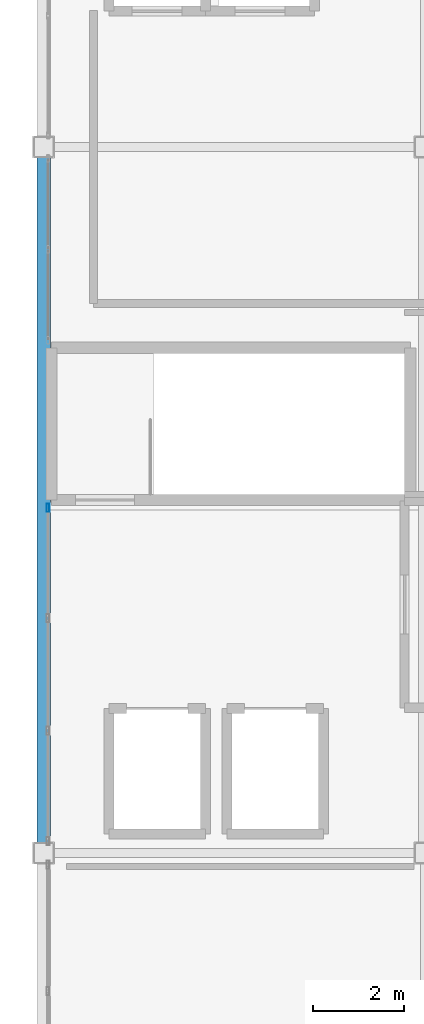
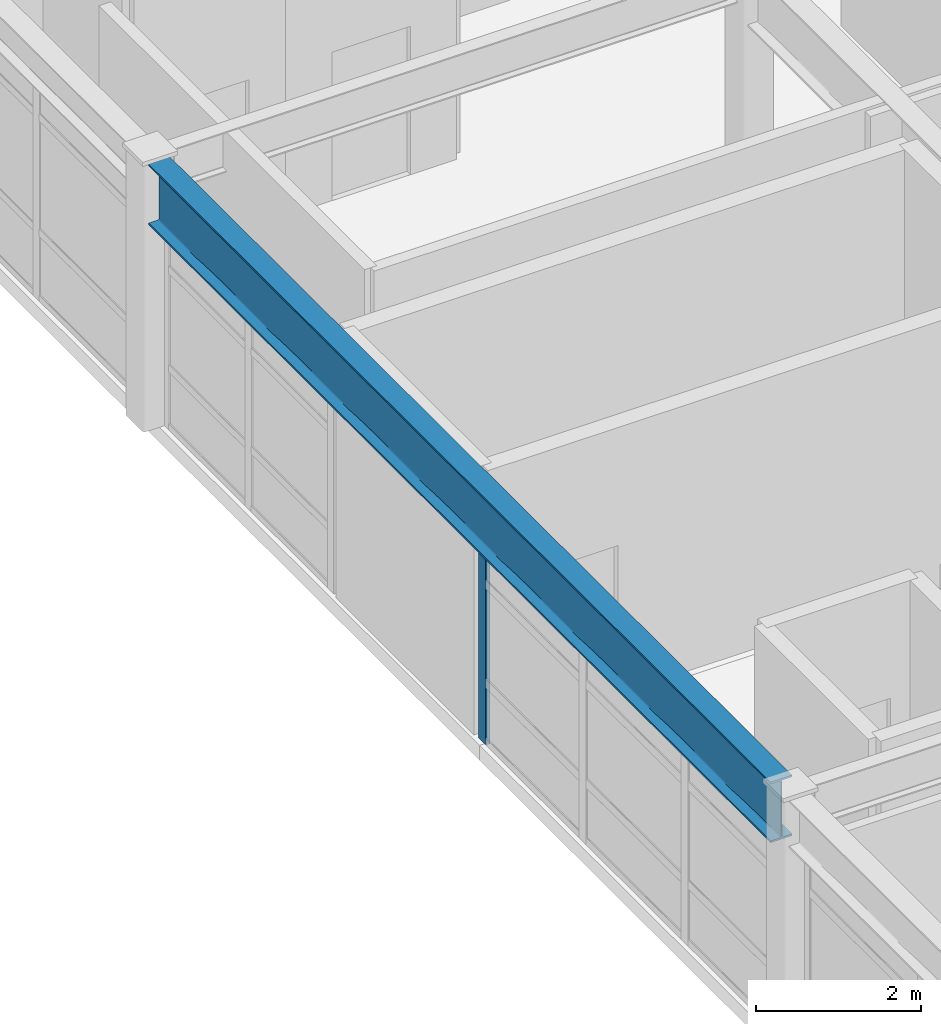
# One storey, part 15 of 34: 1 beam, 1 member, 1 element without a shape of its own.
"""IFC4 building model written with IfcOpenShell, lengths in metres."""

import ifcopenshell
import ifcopenshell.guid

model = None  # the IFC model being written
_history = None  # IfcOwnerHistory: only IFC2X3 demands one
_inside = {}  # id of a spatial element -> (the spatial element, [elements in it])
_under = {}  # id of a project, library or spatial element -> (it, [spatial elements below it])
_declared = {}  # id of a project -> (the project, [libraries it declares])
_typed = {}  # id of a type object -> (the type object, [elements of that type])
_made_of = {}  # id of a material, layer set ... -> (it, [elements and type objects made of it])


def new_model(schema):
    """Start an empty IFC model of exactly this schema.

    Asked for "IFC4X3", IfcOpenShell would pick the latest addendum, in which some entities
    have other attributes; the version numbers below select the first issue.
    IFC2X3 requires an IfcOwnerHistory on every rooted entity: one is made here for all.
    """
    global model, _history
    if schema == "IFC4X3":
        model = ifcopenshell.file(schema_version=(4, 3, 0, 0))
    else:
        model = ifcopenshell.file(schema=schema)
    _inside.clear()
    _under.clear()
    _declared.clear()
    _typed.clear()
    _made_of.clear()
    _history = None
    if model.schema == "IFC2X3":
        org = make("IfcOrganization", Name="unknown")
        user = make(
            "IfcPersonAndOrganization",
            ThePerson=make("IfcPerson", FamilyName="unknown"),
            TheOrganization=org,
        )
        app = make(
            "IfcApplication",
            ApplicationDeveloper=org,
            Version="unknown",
            ApplicationFullName="unknown",
            ApplicationIdentifier="unknown",
        )
        _history = make(
            "IfcOwnerHistory",
            OwningUser=user,
            OwningApplication=app,
            ChangeAction="ADDED",
            CreationDate=0,
        )
    return model


def make(cls, **values):
    """One entity of the class cls with the attributes given. An attribute that is None is left unset."""
    return model.create_entity(
        cls, **{name: value for name, value in values.items() if value is not None}
    )


def rooted(cls, **values):
    """An entity with a GlobalId (a new one), such as an element, a storey or a relation."""
    return make(cls, GlobalId=ifcopenshell.guid.new(), OwnerHistory=_history, **values)


def si_unit(unit_type, name, prefix=None):
    """IfcSIUnit, for example si_unit("LENGTHUNIT", "METRE", prefix="MILLI")."""
    return make("IfcSIUnit", UnitType=unit_type, Prefix=prefix, Name=name)


def assignment(units):
    """IfcUnitAssignment: the units of a project."""
    return None if units is None else make("IfcUnitAssignment", Units=units)


def point(xyz):
    """IfcCartesianPoint."""
    return None if xyz is None else make("IfcCartesianPoint", Coordinates=xyz)


def direction(xyz):
    """IfcDirection."""
    return None if xyz is None else make("IfcDirection", DirectionRatios=xyz)


def frame(location, z_axis=None, x_axis=None):
    """IfcAxis2Placement3D, a coordinate frame: its origin and axes. An axis left out is left unset."""
    return make(
        "IfcAxis2Placement3D",
        Location=point(location),
        Axis=direction(z_axis),
        RefDirection=direction(x_axis),
    )


def frame_2d(location, x_axis=None):
    """IfcAxis2Placement2D, a coordinate frame in the plane: its origin and x axis."""
    return make(
        "IfcAxis2Placement2D", Location=point(location), RefDirection=direction(x_axis)
    )


def origin():
    """The frame at (0, 0, 0) with its axes left unset."""
    return frame((0.0, 0.0, 0.0))


def origin_2d():
    """The frame at (0, 0) in the plane with its x axis left unset."""
    return frame_2d((0.0, 0.0))


def place(relative_to, where):
    """IfcLocalPlacement: puts the frame where relative to a parent placement (None: the world)."""
    return make(
        "IfcLocalPlacement", PlacementRelTo=relative_to, RelativePlacement=where
    )


def context(
    kind, dimensions, precision=None, world=None, true_north=None, identifier=None
):
    """IfcGeometricRepresentationContext, for example the 3D "Model" context."""
    return make(
        "IfcGeometricRepresentationContext",
        ContextIdentifier=identifier,
        ContextType=kind,
        CoordinateSpaceDimension=dimensions,
        Precision=precision,
        WorldCoordinateSystem=world,
        TrueNorth=true_north,
    )


def subcontext(parent, identifier, kind, view, scale=None):
    """IfcGeometricRepresentationSubContext, for example "Body" below "Model"."""
    return make(
        "IfcGeometricRepresentationSubContext",
        ContextIdentifier=identifier,
        ContextType=kind,
        ParentContext=parent,
        TargetScale=scale,
        TargetView=view,
    )


def project(units=None, contexts=None):
    """IfcProject with its units and contexts."""
    return rooted(
        "IfcProject",
        Name="project",
        RepresentationContexts=contexts,
        UnitsInContext=assignment(units),
    )


def spatial(cls, under=None, at=None, **own):
    """A site, building, storey or space (cls), placed at a placement, below another one or the project."""
    s = rooted(cls, ObjectPlacement=at, **own)
    if under is not None:
        _under.setdefault(under.id(), (under, []))[1].append(s)
    return s


def profile(cls, at=None, kind="AREA", **sizes):
    """A parametric profile (cls). Its sizes go by their IFC names, for example OverallWidth=200.0."""
    return make(cls, ProfileType=kind, Position=at, **sizes)


def hollow_rectangle(**sizes):
    """IfcRectangleHollowProfileDef."""
    return profile("IfcRectangleHollowProfileDef", **sizes)


def i_section(**sizes):
    """IfcIShapeProfileDef."""
    return profile("IfcIShapeProfileDef", **sizes)


def extrude(swept, where, along, depth):
    """IfcExtrudedAreaSolid: the profile swept, set in the frame where, extruded along a direction by depth."""
    return make(
        "IfcExtrudedAreaSolid",
        SweptArea=swept,
        Position=where,
        ExtrudedDirection=direction(along),
        Depth=depth,
    )


def shape(context_of_items, identifier, shape_type, items):
    """IfcShapeRepresentation: the items that make up one representation, for example the "Body"."""
    return make(
        "IfcShapeRepresentation",
        ContextOfItems=context_of_items,
        RepresentationIdentifier=identifier,
        RepresentationType=shape_type,
        Items=items,
    )


def material(Name=None, Category=None):
    """IfcMaterial."""
    return make("IfcMaterial", Name=Name, Category=Category)


def layer(
    of_material, thickness, ventilated=None, Name=None, Category=None, Priority=None
):
    """IfcMaterialLayer: one layer of a wall or slab, of a material (None: an air gap)."""
    return make(
        "IfcMaterialLayer",
        Material=of_material,
        LayerThickness=thickness,
        IsVentilated=ventilated,
        Name=Name,
        Category=Category,
        Priority=Priority,
    )


def layer_set(layers, Name=None):
    """IfcMaterialLayerSet."""
    return make("IfcMaterialLayerSet", MaterialLayers=layers, LayerSetName=Name)


def material_profile(
    of_material, cross_section, Name=None, Category=None, Priority=None
):
    """IfcMaterialProfile: a cross section and its material."""
    return make(
        "IfcMaterialProfile",
        Name=Name,
        Material=of_material,
        Profile=cross_section,
        Priority=Priority,
        Category=Category,
    )


def profile_set(profiles, Name=None, composite=None):
    """IfcMaterialProfileSet."""
    return make(
        "IfcMaterialProfileSet",
        Name=Name,
        MaterialProfiles=profiles,
        CompositeProfile=composite,
    )


def made_of(thing, what):
    """Note that an element or type object is made of a material, layer set ...; save() writes the relation."""
    if what is not None:
        _made_of.setdefault(what.id(), (what, []))[1].append(thing)
    return thing


def type_object(cls, material=None, **own):
    """A type object (cls), such as IfcWallType, which elements share."""
    return made_of(rooted(cls, **own), material)


def element(
    cls,
    number,
    at=None,
    inside=None,
    cuts=None,
    type_object=None,
    material=None,
    context=None,
    identifier="Body",
    shape_type=None,
    held_by="IfcProductDefinitionShape",
    body=None,
    shapes=None,
    **own,
):
    """One element of the class cls, such as IfcWall. Its Tag is "e" and its number.

    at: its placement. inside: the storey or other place that contains it. cuts: it is an
    opening in that element (IfcRelVoidsElement). A single representation is given by context,
    identifier, shape_type and body (its items); several are given by shapes. held_by: the class
    of the entity that holds the representations. save() writes the other relations.
    """
    e = rooted(cls, Tag="e%d" % number, ObjectPlacement=at, **own)
    if body is not None:
        shapes = [shape(context, identifier, shape_type, body)]
    if shapes is not None:
        e.Representation = make(held_by, Representations=shapes)
    if inside is not None:
        _inside.setdefault(inside.id(), (inside, []))[1].append(e)
    if cuts is not None:
        rooted(
            "IfcRelVoidsElement", RelatingBuildingElement=cuts, RelatedOpeningElement=e
        )
    if type_object is not None:
        _typed.setdefault(type_object.id(), (type_object, []))[1].append(e)
    return made_of(e, material)


def aggregate(whole, parts):
    """IfcRelAggregates: a whole, such as a stair, and the parts it consists of."""
    return rooted("IfcRelAggregates", RelatingObject=whole, RelatedObjects=parts)


def save(model, path):
    """Write the relations noted so far, then the file.

    IfcRelAggregates (storeys below a building ...), IfcRelContainedInSpatialStructure (elements
    in a storey), IfcRelDefinesByType, IfcRelAssociatesMaterial and IfcRelDeclares: one each for
    every whole, place, type object, material and project.
    """
    for whole, parts in _under.values():
        aggregate(whole, parts)
    for where, things in _inside.values():
        rooted(
            "IfcRelContainedInSpatialStructure",
            RelatedElements=things,
            RelatingStructure=where,
        )
    for kind, things in _typed.values():
        rooted("IfcRelDefinesByType", RelatedObjects=things, RelatingType=kind)
    for what, things in _made_of.values():
        rooted("IfcRelAssociatesMaterial", RelatedObjects=things, RelatingMaterial=what)
    for by, libraries in _declared.values():
        rooted("IfcRelDeclares", RelatingContext=by, RelatedDefinitions=libraries)
    model.write(path)


model = new_model("IFC4")

# Units and contexts
model_context = context("Model", 3, precision=1e-05, world=origin(), true_north=direction((0.0, 1.0)))
body_context = subcontext(model_context, "Body", "Model", "MODEL_VIEW")
ifc_project = project(units=[si_unit("LENGTHUNIT", "METRE"), si_unit("AREAUNIT", "SQUARE_METRE"), si_unit("VOLUMEUNIT", "CUBIC_METRE"), si_unit("PLANEANGLEUNIT", "RADIAN"), si_unit("MASSUNIT", "GRAM", prefix="KILO")], contexts=[model_context])

# Site, building, storey
site_placement = place(None, origin())
site = spatial("IfcSite", under=ifc_project, at=site_placement, CompositionType="ELEMENT")
building_placement = place(site_placement, origin())
building = spatial("IfcBuilding", under=site, at=building_placement, Name="Kazehara Bluff Congress Hotel", CompositionType="ELEMENT")
storey_placement = place(building_placement, frame((0.0, 0.0, 46.199951171875)))
storey = spatial("IfcBuildingStorey", under=building, at=storey_placement, Name="L11", CompositionType="ELEMENT", Elevation=46.199951171875)

# Curtain wall, member
ifc_material_1 = material(Name="Anodised aluminium", Category="aluminium")
ifc_layer = layer(ifc_material_1, 0.159912109375)
ifc_layer_set = layer_set([ifc_layer], Name="Anodised aluminium")
curtain_wall_type = type_object("IfcCurtainWallType", Name="TP-CW-214", PredefinedType="NOTDEFINED", material=ifc_layer_set)
curtain_wall_placement = place(storey_placement, origin())
curtain_wall = element("IfcCurtainWall", 1, at=curtain_wall_placement, inside=storey, type_object=curtain_wall_type, Name="L11 curtain wall CW-214 CW-ENC-V5-L11-14380-4483", PredefinedType="NOTDEFINED")
ifc_material_2 = material(Name="Anodised aluminium", Category="aluminium")
ifc_material_profile_1 = material_profile(ifc_material_2, hollow_rectangle(XDim=0.06494140625, YDim=0.179931640625, WallThickness=0.00390625, InnerFilletRadius=0.00390625, OuterFilletRadius=0.008056640625, at=origin_2d()))
ifc_profile_set_1 = profile_set([ifc_material_profile_1], Name="Anodised aluminium")
member_type = type_object("IfcMemberType", Name="TP-CWM-02", PredefinedType="MULLION", material=ifc_profile_set_1)
member_placement = place(storey_placement, frame((143.800048828125, 48.507568359375, 0.0), z_axis=(0.0, 0.0, 1.0), x_axis=(-1.0, 0.0, 0.0)))
member = element("IfcMember", 2, at=member_placement, type_object=member_type, Name="CW-214 mullion 4", PredefinedType="MULLION", context=body_context, shape_type="SweptSolid", body=[
    extrude(hollow_rectangle(XDim=0.06494140625, YDim=0.179931640625, WallThickness=0.00390625, InnerFilletRadius=0.00390625, OuterFilletRadius=0.008056640625, at=origin_2d()), origin(), (0.0, 0.0, 1.0), 3.025146484375),
])
aggregate(curtain_wall, [member])

# Beam
ifc_material_3 = material(Name="Steel SN490B", Category="steel")
ifc_material_profile_2 = material_profile(ifc_material_3, i_section(OverallWidth=0.300048828125, OverallDepth=0.89990234375, WebThickness=0.01611328125, FlangeThickness=0.028076171875, FilletRadius=0.01806640625, at=origin_2d()))
ifc_profile_set_2 = profile_set([ifc_material_profile_2], Name="Steel SN490B")
beam_type = type_object("IfcBeamType", Name="TP-G-08", PredefinedType="BEAM", material=ifc_profile_set_2)
beam_placement = place(storey_placement, frame((143.699951171875, 41.125, 3.5), z_axis=(0.0, 1.0, 0.0), x_axis=(-1.0, 0.0, 0.0)))
element("IfcBeam", 3, at=beam_placement, inside=storey, type_object=beam_type, Name="L11 girder G-08 4", PredefinedType="BEAM", context=body_context, shape_type="SweptSolid", body=[
    extrude(i_section(OverallWidth=0.300048828125, OverallDepth=0.89990234375, WebThickness=0.01611328125, FlangeThickness=0.028076171875, FilletRadius=0.01806640625, at=origin_2d()), origin(), (0.0, 0.0, 1.0), 15.10009765625),
])

save(model, "model.ifc")
